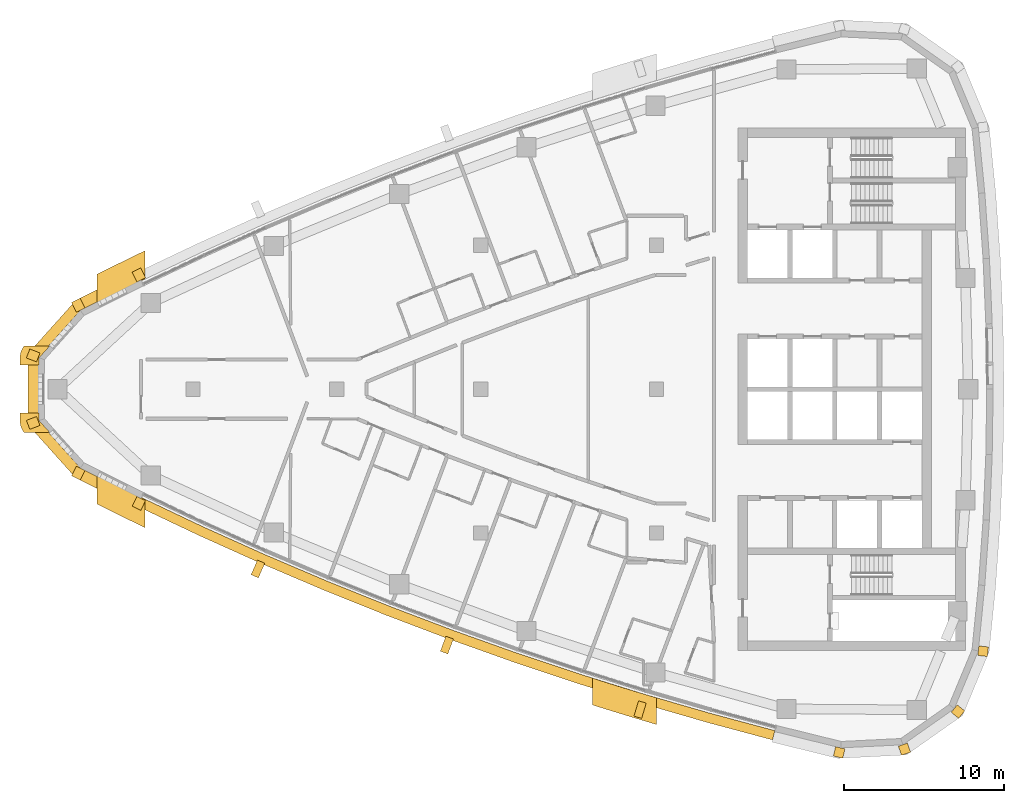
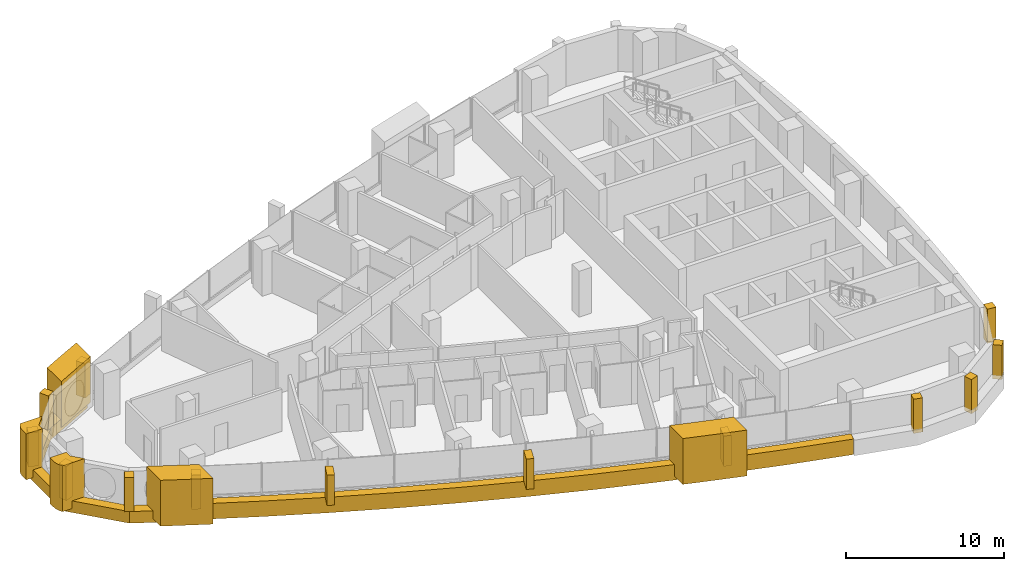
# One storey, part 13 of 16: 20 coverings.
"""IFC4 building model written with IfcOpenShell, lengths in metres."""

from ifc_helpers import new_model, si_unit, direction, frame, frame_2d, origin, place, context, subcontext, project, spatial, polyline, rectangle, outline, extrude, material, layer, layer_set, type_object, element, save


model = new_model("IFC4")

# Units and contexts
model_context = context("Model", 3, precision=1e-05, world=origin(), true_north=direction((0.0, 1.0)))
body_context = subcontext(model_context, "Body", "Model", "MODEL_VIEW")
ifc_project = project(units=[si_unit("LENGTHUNIT", "METRE"), si_unit("AREAUNIT", "SQUARE_METRE"), si_unit("VOLUMEUNIT", "CUBIC_METRE"), si_unit("PLANEANGLEUNIT", "RADIAN"), si_unit("MASSUNIT", "GRAM", prefix="KILO")], contexts=[model_context])

# Site, building, storey
site_placement = place(None, origin())
site = spatial("IfcSite", under=ifc_project, at=site_placement, CompositionType="ELEMENT")
building_placement = place(site_placement, origin())
building = spatial("IfcBuilding", under=site, at=building_placement, Name="Ostrand Prow Hotel Tower", CompositionType="ELEMENT")
storey_placement = place(building_placement, frame((0.0, 0.0, 249.199951171875)))
storey = spatial("IfcBuildingStorey", under=building, at=storey_placement, Name="L63", CompositionType="ELEMENT", Elevation=249.199951171875)

# Coverings
ifc_material_1 = material(Name="Bronze anodised aluminium cladding", Category="aluminium")
ifc_layer_1 = layer(ifc_material_1, 0.60009765625)
ifc_layer_set_1 = layer_set([ifc_layer_1], Name="Bronze anodised aluminium cladding")
covering_type_1 = type_object("IfcCoveringType", Name="Bronze prow band 899x600", PredefinedType="CLADDING", material=ifc_layer_set_1)
covering_1_placement = place(storey_placement, frame((0.0, 0.0, -0.300048828125)))
element("IfcCovering", 1, at=covering_1_placement, inside=storey, type_object=covering_type_1, Name="Bronze prow band", PredefinedType="CLADDING", context=body_context, shape_type="SweptSolid", body=[
    extrude(outline(polyline([(12.464111328125, 7.451904296875), (8.668212890625, 5.55517578125), (5.685302734375, 2.232666015625), (5.685302734375, -2.232666015625), (8.668212890625, -5.55517578125), (12.464111328125, -7.451904296875), (12.76171875, -6.840576171875), (8.97802734375, -4.949951171875), (6.3203125, -1.9892578125), (6.3203125, 1.9892578125), (8.97802734375, 4.949951171875), (12.76171875, 6.840576171875), (12.464111328125, 7.451904296875)])), origin(), (0.0, 0.0, 1.0), 0.900146484375),
])
ifc_material_2 = material(Name="Bronze anodised aluminium cladding", Category="aluminium")
ifc_layer_2 = layer(ifc_material_2, 0.60009765625)
ifc_layer_set_2 = layer_set([ifc_layer_2], Name="Bronze anodised aluminium cladding")
covering_type_2 = type_object("IfcCoveringType", Name="Bronze spandrel band 1200x600", PredefinedType="CLADDING", material=ifc_layer_set_2)
covering_2_placement = place(storey_placement, frame((0.0, 0.0, -0.300048828125)))
element("IfcCovering", 2, at=covering_2_placement, inside=storey, type_object=covering_type_2, Name="Spandrel band S1", PredefinedType="CLADDING", context=body_context, shape_type="SweptSolid", body=[
    extrude(outline(polyline([(12.526123046875, -7.324462890625), (16.35693359375, -9.14306640625), (20.2236328125, -10.88427734375), (24.12451171875, -12.547119140625), (28.058349609375, -14.131103515625), (32.02294921875, -15.635498046875), (36.017333984375, -17.059814453125), (40.039306640625, -18.403564453125), (44.087890625, -19.665771484375), (48.16064453125, -20.846435546875), (52.256591796875, -21.944580078125), (52.40625, -21.363525390625), (48.322021484375, -20.268310546875), (44.260498046875, -19.09130859375), (40.223876953125, -17.83251953125), (36.213134765625, -16.49267578125), (32.230224609375, -15.072509765625), (28.27685546875, -13.572265625), (24.354248046875, -11.992919921875), (20.464599609375, -10.334716796875), (16.60888671875, -8.598388671875), (12.788818359375, -6.784912109375), (12.526123046875, -7.324462890625)])), origin(), (0.0, 0.0, 1.0), 1.2001953125),
])
ifc_material_3 = material(Name="Limestone cladding", Category="masonry")
ifc_layer_3 = layer(ifc_material_3, 5.0)
ifc_layer_set_3 = layer_set([ifc_layer_3], Name="Limestone cladding")
covering_type_3 = type_object("IfcCoveringType", Name="Portal jamb pilaster limestone", PredefinedType="CLADDING", material=ifc_layer_set_3)
covering_3_placement = place(storey_placement, origin())
element("IfcCovering", 3, at=covering_3_placement, inside=storey, type_object=covering_type_3, Name="Portal jamb SA L63", PredefinedType="CLADDING", context=body_context, shape_type="SweptSolid", body=[
    extrude(outline(polyline([(10.0, -5.40087890625), (10.0, -7.19189453125), (11.0, -7.689453125), (12.0, -8.180419921875), (13.0, -8.664794921875), (13.0, -6.8876953125), (12.0, -6.398681640625), (11.0, -5.903076171875), (10.0, -5.40087890625)])), origin(), (0.0, 0.0, 1.0), 3.550048828125),
])
covering_4_placement = place(storey_placement, origin())
element("IfcCovering", 4, at=covering_4_placement, inside=storey, type_object=covering_type_3, Name="Portal jamb SB L63", PredefinedType="CLADDING", context=body_context, shape_type="SweptSolid", body=[
    extrude(outline(polyline([(41.0, -18.08154296875), (41.0, -19.760009765625), (42.0, -20.0732421875), (43.0, -20.381103515625), (44.0, -20.68359375), (45.0, -20.980712890625), (45.0, -19.312255859375), (44.0, -19.0126953125), (43.0, -18.707763671875), (42.0, -18.3974609375), (41.0, -18.08154296875)])), origin(), (0.0, 0.0, 1.0), 3.550048828125),
])
covering_5_placement = place(storey_placement, origin())
element("IfcCovering", 5, at=covering_5_placement, inside=storey, type_object=covering_type_3, Name="Portal jamb NA L63", PredefinedType="CLADDING", context=body_context, shape_type="SweptSolid", body=[
    extrude(outline(polyline([(10.0, 5.40087890625), (11.0, 5.903076171875), (12.0, 6.398681640625), (13.0, 6.8876953125), (13.0, 8.664794921875), (12.0, 8.180419921875), (11.0, 7.689453125), (10.0, 7.19189453125), (10.0, 5.40087890625)])), origin(), (0.0, 0.0, 1.0), 3.550048828125),
])
ifc_material_4 = material(Name="Limestone cladding", Category="masonry")
ifc_layer_4 = layer(ifc_material_4, 0.5)
ifc_layer_set_4 = layer_set([ifc_layer_4], Name="Limestone cladding")
covering_type_4 = type_object("IfcCoveringType", Name="Precast stone fin 500x900", PredefinedType="CLADDING", material=ifc_layer_set_4)
covering_6_placement = place(storey_placement, frame((20.263916015625, -10.79248046875, 0.900146484375), z_axis=(0.0, 0.0, 1.0), x_axis=(-0.401535789459, -0.915843332554, 0.0)))
element("IfcCovering", 6, at=covering_6_placement, inside=storey, type_object=covering_type_4, Name="Stone fin S 3", PredefinedType="CLADDING", context=body_context, shape_type="SweptSolid", body=[
    extrude(rectangle(XDim=1.000244140625, YDim=0.5, at=frame_2d((0.5, 0.0))), origin(), (0.0, 0.0, 1.0), 2.349853515625),
])
for number, where, z_axis, x_axis, name in (
    (7, (32.0576171875, -15.541748046875, 0.900146484375), (0.0, 0.0, 1.0), (-0.345445137787, -0.938438946751, 0.0), "Stone fin S 6"),
    (8, (44.11669921875, -19.570068359375, 0.900146484375), (0.0, 0.0, 1.0), (-0.288109396306, -0.95759750196, 0.0), "Stone fin S 9"),
):
    element("IfcCovering", number, at=place(storey_placement, frame(where, z_axis=z_axis, x_axis=x_axis)), inside=storey, type_object=covering_type_4, Name=name, PredefinedType="CLADDING", context=body_context, shape_type="SweptSolid", body=[
        extrude(rectangle(XDim=1.0, YDim=0.5, at=frame_2d((0.5, 0.0))), origin(), (0.0, 0.0, 1.0), 2.349853515625),
    ])
ifc_material_5 = material(Name="Limestone cladding", Category="masonry")
ifc_layer_5 = layer(ifc_material_5, 0.60009765625)
ifc_layer_set_5 = layer_set([ifc_layer_5], Name="Limestone cladding")
covering_type_5 = type_object("IfcCoveringType", Name="Precast stone prow rib 600x600", PredefinedType="CLADDING", material=ifc_layer_set_5)
for number, where, z_axis, x_axis, name in (
    (9, (12.76171875, 6.840576171875, 0.60009765625), (0.0, 0.0, 1.0), (-0.437708972644, 0.899116708368, 0.0), "Stone prow rib 1"),
    (10, (8.97802734375, 4.949951171875, 0.60009765625), (0.0, 0.0, 1.0), (-0.455667721738, 0.890149946563, 0.0), "Stone prow rib 2"),
):
    element("IfcCovering", number, at=place(storey_placement, frame(where, z_axis=z_axis, x_axis=x_axis)), inside=storey, type_object=covering_type_5, Name=name, PredefinedType="CLADDING", context=body_context, shape_type="SweptSolid", body=[
        extrude(rectangle(XDim=0.679931640625, YDim=0.60009765625, at=frame_2d((0.33984375, 0.0))), origin(), (0.0, 0.0, 1.0), 2.64990234375),
    ])
for number, where, z_axis, x_axis, name in (
    (11, (6.3203125, 1.9892578125, 0.60009765625), (0.0, 0.0, 1.0), (-0.9337521164, 0.357920361419, 0.0), "Stone prow rib 3"),
    (12, (6.3203125, -1.9892578125, 0.60009765625), (0.0, 0.0, 1.0), (-0.9337521164, -0.357920361419, 0.0), "Stone prow rib 4"),
):
    element("IfcCovering", number, at=place(storey_placement, frame(where, z_axis=z_axis, x_axis=x_axis)), inside=storey, type_object=covering_type_5, Name=name, PredefinedType="CLADDING", context=body_context, shape_type="SweptSolid", body=[
        extrude(rectangle(XDim=0.68017578125, YDim=0.60009765625, at=frame_2d((0.340087890625, 0.0))), origin(), (0.0, 0.0, 1.0), 2.64990234375),
    ])
for number, where, z_axis, x_axis, name in (
    (13, (8.97802734375, -4.949951171875, 0.60009765625), (0.0, 0.0, 1.0), (-0.455667721738, -0.890149946563, 0.0), "Stone prow rib 5"),
    (14, (12.76171875, -6.840576171875, 0.60009765625), (0.0, 0.0, 1.0), (-0.437708972644, -0.899116708368, 0.0), "Stone prow rib 6"),
):
    element("IfcCovering", number, at=place(storey_placement, frame(where, z_axis=z_axis, x_axis=x_axis)), inside=storey, type_object=covering_type_5, Name=name, PredefinedType="CLADDING", context=body_context, shape_type="SweptSolid", body=[
        extrude(rectangle(XDim=0.679931640625, YDim=0.60009765625, at=frame_2d((0.33984375, 0.0))), origin(), (0.0, 0.0, 1.0), 2.64990234375),
    ])
for number, where, z_axis, x_axis, name in (
    (15, (56.49755859375, -22.436279296875, 0.60009765625), (0.0, 0.0, 1.0), (-0.229878322855, -0.973219377469, 0.0), "Stone corner rib 2a"),
    (16, (60.417236328125, -22.240966796875, 0.60009765625), (0.0, 0.0, 1.0), (0.325489086777, -0.945545797087, 0.0), "Stone corner rib 3a"),
    (17, (63.62744140625, -19.98291015625, 0.60009765625), (0.0, 0.0, 1.0), (0.779994736518, -0.625786074473, 0.0), "Stone corner rib 4a"),
    (18, (65.13623046875, -16.35986328125, 0.60009765625), (0.0, 0.0, 1.0), (0.993628058569, -0.112708833834, 0.0), "Stone corner rib 4b"),
):
    element("IfcCovering", number, at=place(storey_placement, frame(where, z_axis=z_axis, x_axis=x_axis)), inside=storey, type_object=covering_type_5, Name=name, PredefinedType="CLADDING", context=body_context, shape_type="SweptSolid", body=[
        extrude(rectangle(XDim=0.60009765625, YDim=0.60009765625, at=frame_2d((0.300048828125, 0.0))), origin(), (0.0, 0.0, 1.0), 2.64990234375),
    ])
ifc_material_6 = material(Name="Limestone cladding", Category="masonry")
ifc_layer_6 = layer(ifc_material_6, 3.0)
ifc_layer_set_6 = layer_set([ifc_layer_6], Name="Limestone cladding")
covering_type_6 = type_object("IfcCoveringType", Name="Prow nose pier limestone", PredefinedType="CLADDING", material=ifc_layer_set_6)
covering_7_placement = place(storey_placement, origin())
element("IfcCovering", 19, at=covering_7_placement, inside=storey, type_object=covering_type_6, Name="Prow spine fin N L63", PredefinedType="CLADDING", context=body_context, shape_type="SweptSolid", body=[
    extrude(outline(polyline([(5.177734375, 1.96728515625), (5.177734375, 1.5), (6.377685546875, 1.5), (6.377685546875, 1.96728515625), (7.03564453125, 2.699951171875), (5.42919921875, 2.699951171875), (5.406005859375, 2.67138671875), (5.337890625, 2.566162109375), (5.28125, 2.454345703125), (5.236328125, 2.33740234375), (5.203857421875, 2.21630859375), (5.184326171875, 2.09228515625), (5.177734375, 1.96728515625)])), origin(), (0.0, 0.0, 1.0), 3.550048828125),
])
covering_8_placement = place(storey_placement, origin())
element("IfcCovering", 20, at=covering_8_placement, inside=storey, type_object=covering_type_6, Name="Prow spine fin S L63", PredefinedType="CLADDING", context=body_context, shape_type="SweptSolid", body=[
    extrude(outline(polyline([(5.406005859375, -2.67138671875), (5.42919921875, -2.699951171875), (7.03564453125, -2.699951171875), (6.377685546875, -1.96728515625), (6.377685546875, -1.5), (5.177734375, -1.5), (5.177734375, -1.96728515625), (5.184326171875, -2.09228515625), (5.203857421875, -2.21630859375), (5.236328125, -2.33740234375), (5.28125, -2.454345703125), (5.337890625, -2.566162109375), (5.406005859375, -2.67138671875)])), origin(), (0.0, 0.0, 1.0), 3.550048828125),
])

save(model, "model.ifc")
